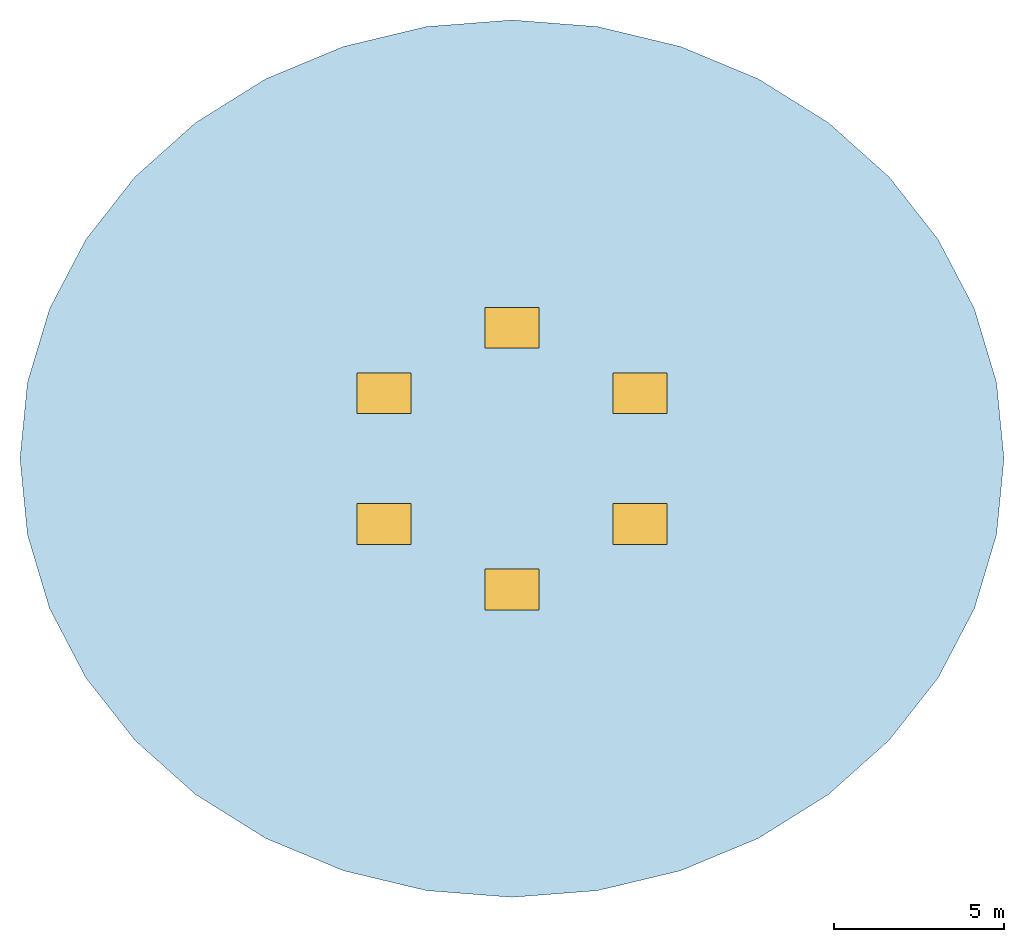
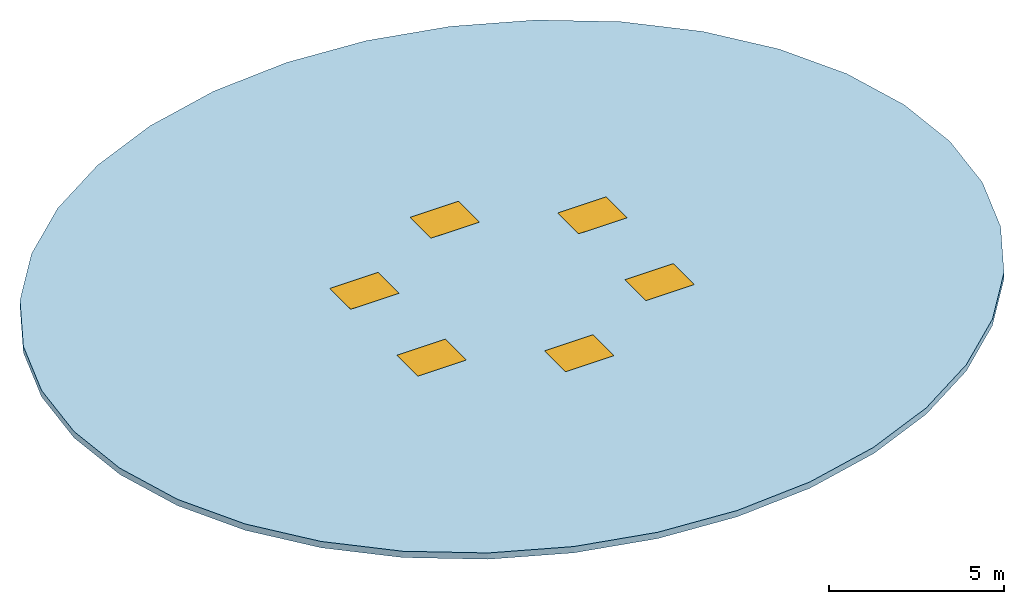
# One storey: 6 windows, 1 slab, 6 openings.
"""IFC4 building model written with IfcOpenShell, lengths in metres."""

from ifc_helpers import new_model, si_unit, direction, frame, origin, origin_2d, place, context, subcontext, project, spatial, polyline, rectangle, outline, extrude, material, layer, layer_set, type_object, element, fill, save


model = new_model("IFC4")

# Units and contexts
model_context = context("Model", 3, precision=1e-05, world=origin(), true_north=direction((0.0, 1.0)))
body_context = subcontext(model_context, "Body", "Model", "MODEL_VIEW")
ifc_project = project(units=[si_unit("LENGTHUNIT", "METRE"), si_unit("AREAUNIT", "SQUARE_METRE"), si_unit("VOLUMEUNIT", "CUBIC_METRE"), si_unit("PLANEANGLEUNIT", "RADIAN"), si_unit("MASSUNIT", "GRAM", prefix="KILO")], contexts=[model_context])

# Site, building, storey
site_placement = place(None, origin())
site = spatial("IfcSite", under=ifc_project, at=site_placement, CompositionType="ELEMENT")
building_placement = place(site_placement, origin())
building = spatial("IfcBuilding", under=site, at=building_placement, Name="Vantalir Tower", CompositionType="ELEMENT")
storey_placement = place(building_placement, frame((0.0, 0.0, 348.0)))
storey = spatial("IfcBuildingStorey", under=building, at=storey_placement, Name="Roof", CompositionType="ELEMENT", Elevation=348.0)

# Slab, openings, windows
ifc_material_1 = material(Name="Concrete C40/50 insulated crown apex roof", Category="concrete")
ifc_layer = layer(ifc_material_1, 0.219970703125)
ifc_layer_set = layer_set([ifc_layer], Name="Concrete C40/50 insulated crown apex roof")
slab_type = type_object("IfcSlabType", Name="SL-CROWN-APEX-220", PredefinedType="ROOF", material=ifc_layer_set)
slab_placement = place(storey_placement, origin())
slab = element("IfcSlab", 1, at=slab_placement, inside=storey, type_object=slab_type, Name="Roof Primary Structural Slab", PredefinedType="ROOF", context=body_context, shape_type="SweptSolid", body=[
    extrude(outline(polyline([(38.7490234375, 13.821044921875), (40.818115234375, 15.114013671875), (42.60107421875, 16.7080078125), (44.047119140625, 18.551025390625), (45.113037109375, 20.590087890625), (45.763916015625, 22.760986328125), (45.98291015625, 25.0), (45.763916015625, 27.239013671875), (45.113037109375, 29.409912109375), (44.047119140625, 31.447998046875), (42.60107421875, 33.2919921875), (40.818115234375, 34.885986328125), (38.7490234375, 36.178955078125), (36.458984375, 37.131103515625), (34.01806640625, 37.716064453125), (31.5, 37.912109375), (28.98193359375, 37.716064453125), (26.541015625, 37.131103515625), (24.2509765625, 36.178955078125), (22.181884765625, 34.885986328125), (20.39892578125, 33.2919921875), (18.952880859375, 31.447998046875), (17.886962890625, 29.409912109375), (17.236083984375, 27.239013671875), (17.01708984375, 25.0), (17.236083984375, 22.760986328125), (17.886962890625, 20.590087890625), (18.952880859375, 18.551025390625), (20.39892578125, 16.7080078125), (22.181884765625, 15.114013671875), (24.2509765625, 13.821044921875), (26.541015625, 12.868896484375), (28.98193359375, 12.283935546875), (31.5, 12.087890625), (34.01806640625, 12.283935546875), (36.458984375, 12.868896484375), (38.7490234375, 13.821044921875)]), holes=[polyline([(36.06298828125, 27.52099609375), (36.06298828125, 26.3291015625), (34.470947265625, 26.3291015625), (34.470947265625, 27.52099609375), (36.06298828125, 27.52099609375)]), polyline([(32.2958984375, 28.25390625), (30.7041015625, 28.25390625), (30.7041015625, 29.446044921875), (32.2958984375, 29.446044921875), (32.2958984375, 28.25390625)]), polyline([(26.93701171875, 26.3291015625), (26.93701171875, 27.52099609375), (28.529052734375, 27.52099609375), (28.529052734375, 26.3291015625), (26.93701171875, 26.3291015625)]), polyline([(26.93701171875, 23.6708984375), (28.529052734375, 23.6708984375), (28.529052734375, 22.47900390625), (26.93701171875, 22.47900390625), (26.93701171875, 23.6708984375)]), polyline([(32.2958984375, 21.74609375), (32.2958984375, 20.553955078125), (30.7041015625, 20.553955078125), (30.7041015625, 21.74609375), (32.2958984375, 21.74609375)]), polyline([(36.06298828125, 22.47900390625), (34.470947265625, 22.47900390625), (34.470947265625, 23.6708984375), (36.06298828125, 23.6708984375), (36.06298828125, 22.47900390625)])]), origin(), (0.0, 0.0, 1.0), 0.219970703125),
])
opening_1_placement = place(slab_placement, frame((35.26708984375, 26.925048828125, -0.010009765625)))
opening_1 = element("IfcOpeningElement", 2, at=opening_1_placement, cuts=slab, Name="Opening SK-2", PredefinedType="OPENING", context=body_context, shape_type="SweptSolid", body=[
    extrude(rectangle(XDim=1.60009765625, YDim=1.199951171875, at=origin_2d()), origin(), (0.0, 0.0, 1.0), 0.239990234375),
])
opening_2_placement = place(slab_placement, frame((31.5, 28.85009765625, -0.010009765625)))
opening_2 = element("IfcOpeningElement", 3, at=opening_2_placement, cuts=slab, Name="Opening SK-2", PredefinedType="OPENING", context=body_context, shape_type="SweptSolid", body=[
    extrude(rectangle(XDim=1.60009765625, YDim=1.199951171875, at=origin_2d()), origin(), (0.0, 0.0, 1.0), 0.239990234375),
])
opening_3_placement = place(slab_placement, frame((27.73291015625, 26.925048828125, -0.010009765625)))
opening_3 = element("IfcOpeningElement", 4, at=opening_3_placement, cuts=slab, Name="Opening SK-2", PredefinedType="OPENING", context=body_context, shape_type="SweptSolid", body=[
    extrude(rectangle(XDim=1.60009765625, YDim=1.199951171875, at=origin_2d()), origin(), (0.0, 0.0, 1.0), 0.239990234375),
])
opening_4_placement = place(slab_placement, frame((27.73291015625, 23.074951171875, -0.010009765625)))
opening_4 = element("IfcOpeningElement", 5, at=opening_4_placement, cuts=slab, Name="Opening SK-2", PredefinedType="OPENING", context=body_context, shape_type="SweptSolid", body=[
    extrude(rectangle(XDim=1.60009765625, YDim=1.199951171875, at=origin_2d()), origin(), (0.0, 0.0, 1.0), 0.239990234375),
])
opening_5_placement = place(slab_placement, frame((31.5, 21.14990234375, -0.010009765625)))
opening_5 = element("IfcOpeningElement", 6, at=opening_5_placement, cuts=slab, Name="Opening SK-2", PredefinedType="OPENING", context=body_context, shape_type="SweptSolid", body=[
    extrude(rectangle(XDim=1.60009765625, YDim=1.199951171875, at=origin_2d()), origin(), (0.0, 0.0, 1.0), 0.239990234375),
])
opening_6_placement = place(slab_placement, frame((35.26708984375, 23.074951171875, -0.010009765625)))
opening_6 = element("IfcOpeningElement", 7, at=opening_6_placement, cuts=slab, Name="Opening SK-2", PredefinedType="OPENING", context=body_context, shape_type="SweptSolid", body=[
    extrude(rectangle(XDim=1.60009765625, YDim=1.199951171875, at=origin_2d()), origin(), (0.0, 0.0, 1.0), 0.239990234375),
])
ifc_material_2 = material(Name="Laminated crown apex double-glazed SKYLIGHT", Category="glass")
window_type = type_object("IfcWindowType", Name="WIN-SKYLIGHT-2200x1500", PartitioningType="SINGLE_PANEL", PredefinedType="SKYLIGHT", material=ifc_material_2)
window_1_placement = place(slab_placement, frame((35.26708984375, 26.925048828125, 0.169921875)))
window_1 = element("IfcWindow", 8, at=window_1_placement, inside=storey, type_object=window_type, Name="Crown Apex Double-Glazed Skylight 01", OverallHeight=1.199951171875, OverallWidth=1.60009765625, PartitioningType="SINGLE_PANEL", PredefinedType="SKYLIGHT", context=body_context, shape_type="SweptSolid", body=[
    extrude(rectangle(XDim=1.60009765625, YDim=1.199951171875, at=origin_2d()), origin(), (0.0, 0.0, 1.0), 0.050048828125),
])
fill(opening_1, window_1)
window_2_placement = place(slab_placement, frame((31.5, 28.85009765625, 0.169921875)))
window_2 = element("IfcWindow", 9, at=window_2_placement, inside=storey, type_object=window_type, Name="Crown Apex Double-Glazed Skylight 02", OverallHeight=1.199951171875, OverallWidth=1.60009765625, PartitioningType="SINGLE_PANEL", PredefinedType="SKYLIGHT", context=body_context, shape_type="SweptSolid", body=[
    extrude(rectangle(XDim=1.60009765625, YDim=1.199951171875, at=origin_2d()), origin(), (0.0, 0.0, 1.0), 0.050048828125),
])
fill(opening_2, window_2)
window_3_placement = place(slab_placement, frame((27.73291015625, 26.925048828125, 0.169921875)))
window_3 = element("IfcWindow", 10, at=window_3_placement, inside=storey, type_object=window_type, Name="Crown Apex Double-Glazed Skylight 03", OverallHeight=1.199951171875, OverallWidth=1.60009765625, PartitioningType="SINGLE_PANEL", PredefinedType="SKYLIGHT", context=body_context, shape_type="SweptSolid", body=[
    extrude(rectangle(XDim=1.60009765625, YDim=1.199951171875, at=origin_2d()), origin(), (0.0, 0.0, 1.0), 0.050048828125),
])
fill(opening_3, window_3)
window_4_placement = place(slab_placement, frame((27.73291015625, 23.074951171875, 0.169921875)))
window_4 = element("IfcWindow", 11, at=window_4_placement, inside=storey, type_object=window_type, Name="Crown Apex Double-Glazed Skylight 04", OverallHeight=1.199951171875, OverallWidth=1.60009765625, PartitioningType="SINGLE_PANEL", PredefinedType="SKYLIGHT", context=body_context, shape_type="SweptSolid", body=[
    extrude(rectangle(XDim=1.60009765625, YDim=1.199951171875, at=origin_2d()), origin(), (0.0, 0.0, 1.0), 0.050048828125),
])
fill(opening_4, window_4)
window_5_placement = place(slab_placement, frame((31.5, 21.14990234375, 0.169921875)))
window_5 = element("IfcWindow", 12, at=window_5_placement, inside=storey, type_object=window_type, Name="Crown Apex Double-Glazed Skylight 05", OverallHeight=1.199951171875, OverallWidth=1.60009765625, PartitioningType="SINGLE_PANEL", PredefinedType="SKYLIGHT", context=body_context, shape_type="SweptSolid", body=[
    extrude(rectangle(XDim=1.60009765625, YDim=1.199951171875, at=origin_2d()), origin(), (0.0, 0.0, 1.0), 0.050048828125),
])
fill(opening_5, window_5)
window_6_placement = place(slab_placement, frame((35.26708984375, 23.074951171875, 0.169921875)))
window_6 = element("IfcWindow", 13, at=window_6_placement, inside=storey, type_object=window_type, Name="Crown Apex Double-Glazed Skylight 06", OverallHeight=1.199951171875, OverallWidth=1.60009765625, PartitioningType="SINGLE_PANEL", PredefinedType="SKYLIGHT", context=body_context, shape_type="SweptSolid", body=[
    extrude(rectangle(XDim=1.60009765625, YDim=1.199951171875, at=origin_2d()), origin(), (0.0, 0.0, 1.0), 0.050048828125),
])
fill(opening_6, window_6)

save(model, "model.ifc")
